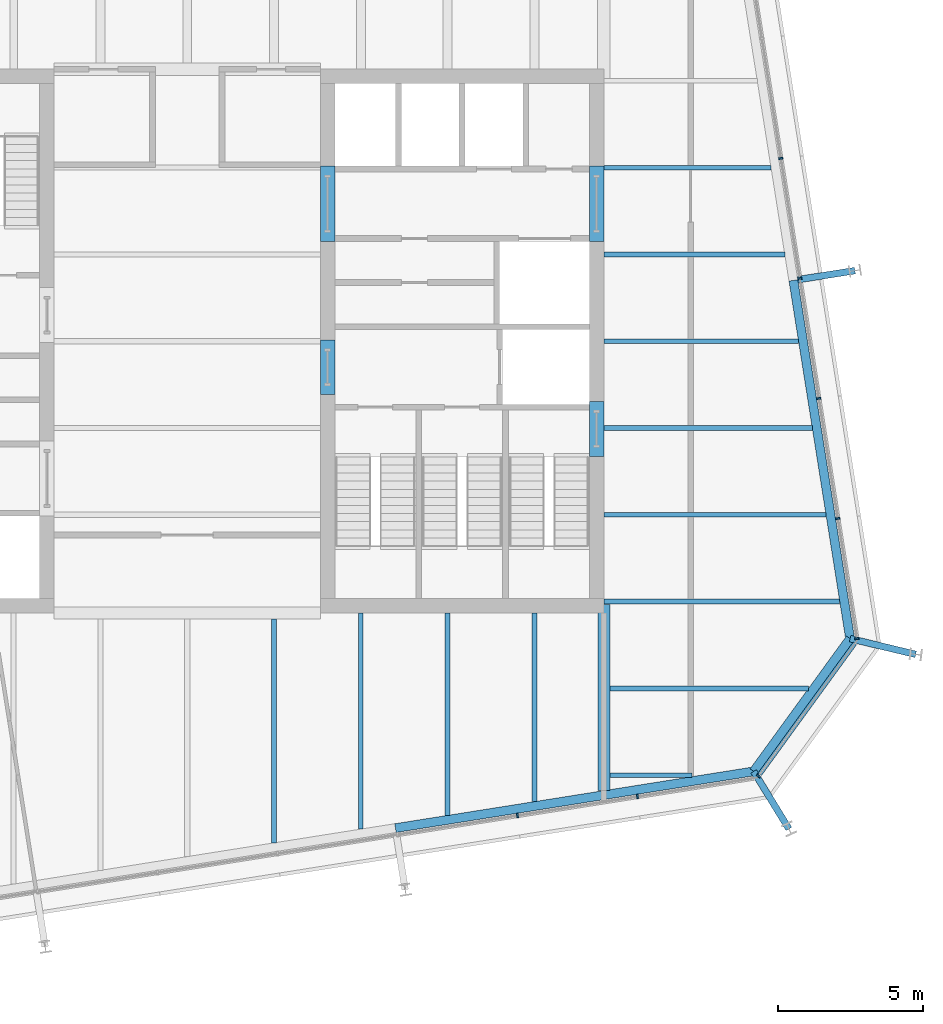
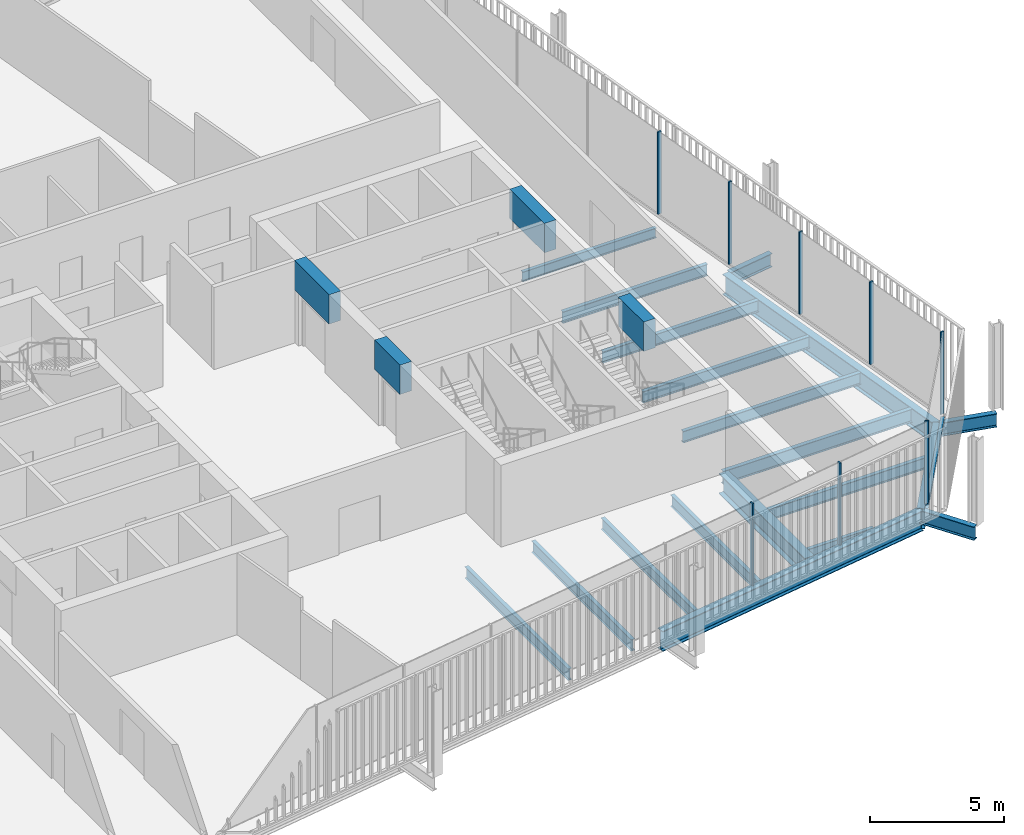
# One storey, part 8 of 20: 23 beams, 9 members, 3 elements without a shape of their own.
"""IFC4 building model written with IfcOpenShell, lengths in metres."""

from ifc_helpers import new_model, si_unit, direction, frame, origin, origin_2d, place, context, subcontext, project, spatial, rectangle, i_section, extrude, material, layer, layer_set, material_profile, profile_set, type_object, element, aggregate, save


model = new_model("IFC4")

# Units and contexts
model_context = context("Model", 3, precision=1e-05, world=origin(), true_north=direction((0.0, 1.0)))
body_context = subcontext(model_context, "Body", "Model", "MODEL_VIEW")
ifc_project = project(units=[si_unit("LENGTHUNIT", "METRE"), si_unit("AREAUNIT", "SQUARE_METRE"), si_unit("VOLUMEUNIT", "CUBIC_METRE"), si_unit("PLANEANGLEUNIT", "RADIAN"), si_unit("MASSUNIT", "GRAM", prefix="KILO")], contexts=[model_context])

# Site, building, storey
site_placement = place(None, origin())
site = spatial("IfcSite", under=ifc_project, at=site_placement, CompositionType="ELEMENT")
building_placement = place(site_placement, origin())
building = spatial("IfcBuilding", under=site, at=building_placement, Name="Millrace Tower", CompositionType="ELEMENT")
storey_placement = place(building_placement, frame((0.0, 0.0, 208.60009765625)))
storey = spatial("IfcBuildingStorey", under=building, at=storey_placement, Name="L47", CompositionType="ELEMENT", Elevation=208.60009765625)

# Curtain wall, members
ifc_material_1 = material(Name="Aluminium and glass", Category="aluminium")
ifc_layer = layer(ifc_material_1, 0.14990234375)
ifc_layer_set = layer_set([ifc_layer], Name="Aluminium and glass")
curtain_wall_type = type_object("IfcCurtainWallType", Name="CW-1 office vision curtain wall", PredefinedType="NOTDEFINED", material=ifc_layer_set)
placement = place(storey_placement, origin())
curtain_wall_1 = element("IfcCurtainWall", 1, at=placement, inside=storey, type_object=curtain_wall_type, Name="Curtain wall D-F02 L47", PredefinedType="NOTDEFINED")
ifc_material_2 = material(Name="Aluminium", Category="aluminium")
ifc_material_profile_1 = material_profile(ifc_material_2, rectangle(XDim=0.06494140625, YDim=0.14990234375, at=origin_2d()))
ifc_profile_set_1 = profile_set([ifc_material_profile_1], Name="Aluminium")
member_type_1 = type_object("IfcMemberType", Name="CW-1 office vision curtain wall mullion", PredefinedType="MULLION", material=ifc_profile_set_1)
member_1_placement = place(storey_placement, frame((11.41259765625, -16.393310546875, 0.139892578125), z_axis=(0.0, 0.0, 1.0), x_axis=(0.987688339511, 0.156434471884, 0.0)))
member_1 = element("IfcMember", 2, at=member_1_placement, type_object=member_type_1, Name="CW1 mullion D-F02.8", PredefinedType="MULLION", context=body_context, shape_type="SweptSolid", body=[
    extrude(rectangle(XDim=0.06494140625, YDim=0.14990234375, at=origin_2d()), origin(), (0.0, 0.0, 1.0), 3.760009765625),
])
member_2_placement = place(storey_placement, frame((15.560791015625, -15.736328125, 0.139892578125), z_axis=(0.0, 0.0, 1.0), x_axis=(0.987688339511, 0.156434471884, 0.0)))
member_2 = element("IfcMember", 3, at=member_2_placement, type_object=member_type_1, Name="CW1 mullion D-F02.9", PredefinedType="MULLION", context=body_context, shape_type="SweptSolid", body=[
    extrude(rectangle(XDim=0.06494140625, YDim=0.14990234375, at=origin_2d()), origin(), (0.0, 0.0, 1.0), 3.760009765625),
])
aggregate(curtain_wall_1, [member_1, member_2])

# Curtain wall, member
curtain_wall_2 = element("IfcCurtainWall", 4, at=placement, inside=storey, type_object=curtain_wall_type, Name="Curtain wall D-F03 L47", PredefinedType="NOTDEFINED")
member_3_placement = place(storey_placement, frame((19.7451171875, -15.028076171875, 0.139892578125), z_axis=(0.0, 0.0, 1.0), x_axis=(0.587785305991, 0.809016955361, 0.0)))
member_3 = element("IfcMember", 5, at=member_3_placement, type_object=member_type_1, Name="CW1 mullion D-F03.1", PredefinedType="MULLION", context=body_context, shape_type="SweptSolid", body=[
    extrude(rectangle(XDim=0.06494140625, YDim=0.14990234375, at=origin_2d()), origin(), (0.0, 0.0, 1.0), 3.760009765625),
])

# Curtain wall, members
curtain_wall_3 = element("IfcCurtainWall", 6, at=placement, inside=storey, type_object=curtain_wall_type, Name="Curtain wall D-F04 L47", PredefinedType="NOTDEFINED")
member_4_placement = place(storey_placement, frame((23.142333984375, -10.275390625, 0.139892578125), z_axis=(0.0, 0.0, 1.0), x_axis=(-0.156434471884, 0.987688339511, 0.0)))
member_4 = element("IfcMember", 7, at=member_4_placement, type_object=member_type_1, Name="CW1 mullion D-F04.1", PredefinedType="MULLION", context=body_context, shape_type="SweptSolid", body=[
    extrude(rectangle(XDim=0.06494140625, YDim=0.14990234375, at=origin_2d()), origin(), (0.0, 0.0, 1.0), 3.760009765625),
])
member_5_placement = place(storey_placement, frame((22.4853515625, -6.127197265625, 0.139892578125), z_axis=(0.0, 0.0, 1.0), x_axis=(-0.156434471884, 0.987688339511, 0.0)))
member_5 = element("IfcMember", 8, at=member_5_placement, type_object=member_type_1, Name="CW1 mullion D-F04.2", PredefinedType="MULLION", context=body_context, shape_type="SweptSolid", body=[
    extrude(rectangle(XDim=0.06494140625, YDim=0.14990234375, at=origin_2d()), origin(), (0.0, 0.0, 1.0), 3.760009765625),
])
member_6_placement = place(storey_placement, frame((21.828369140625, -1.97900390625, 0.139892578125), z_axis=(0.0, 0.0, 1.0), x_axis=(-0.156434471884, 0.987688339511, 0.0)))
member_6 = element("IfcMember", 9, at=member_6_placement, type_object=member_type_1, Name="CW1 mullion D-F04.3", PredefinedType="MULLION", context=body_context, shape_type="SweptSolid", body=[
    extrude(rectangle(XDim=0.06494140625, YDim=0.14990234375, at=origin_2d()), origin(), (0.0, 0.0, 1.0), 3.760009765625),
])
member_7_placement = place(storey_placement, frame((21.17138671875, 2.16943359375, 0.139892578125), z_axis=(0.0, 0.0, 1.0), x_axis=(-0.156434471884, 0.987688339511, 0.0)))
member_7 = element("IfcMember", 10, at=member_7_placement, type_object=member_type_1, Name="CW1 mullion D-F04.4", PredefinedType="MULLION", context=body_context, shape_type="SweptSolid", body=[
    extrude(rectangle(XDim=0.06494140625, YDim=0.14990234375, at=origin_2d()), origin(), (0.0, 0.0, 1.0), 3.760009765625),
])
member_8_placement = place(storey_placement, frame((20.514404296875, 6.317626953125, 0.139892578125), z_axis=(0.0, 0.0, 1.0), x_axis=(-0.156434471884, 0.987688339511, 0.0)))
member_8 = element("IfcMember", 11, at=member_8_placement, type_object=member_type_1, Name="CW1 mullion D-F04.5", PredefinedType="MULLION", context=body_context, shape_type="SweptSolid", body=[
    extrude(rectangle(XDim=0.06494140625, YDim=0.14990234375, at=origin_2d()), origin(), (0.0, 0.0, 1.0), 3.760009765625),
])
aggregate(curtain_wall_3, [member_4, member_5, member_6, member_7, member_8])

# Member
ifc_material_3 = material(Name="Aluminium", Category="aluminium")
ifc_material_profile_2 = material_profile(ifc_material_3, rectangle(XDim=0.14990234375, YDim=0.139892578125, at=origin_2d()))
ifc_profile_set_2 = profile_set([ifc_material_profile_2], Name="Aluminium")
member_type_2 = type_object("IfcMemberType", Name="CW-1 office vision curtain wall transom", PredefinedType="USERDEFINED", material=ifc_profile_set_2)
member_9_placement = place(storey_placement, frame((19.78466796875, -14.973388671875, 0.06982421875), z_axis=(0.587811213399, 0.808998131891, 0.0), x_axis=(-0.808998131891, 0.587811213399, 0.0)))
member_9 = element("IfcMember", 12, at=member_9_placement, type_object=member_type_2, Name="CW1 transom D-F03.1", ObjectType="TRANSOM", PredefinedType="USERDEFINED", context=body_context, shape_type="SweptSolid", body=[
    extrude(rectangle(XDim=0.14990234375, YDim=0.139892578125, at=origin_2d()), origin(), (0.0, 0.0, 1.0), 5.598388671875),
])

aggregate(curtain_wall_2, [member_3, member_9])

# Beams
ifc_material_4 = material(Name="Concrete C60", Category="concrete")
ifc_material_profile_3 = material_profile(ifc_material_4, rectangle(XDim=0.5, YDim=1.340087890625, at=origin_2d()))
ifc_profile_set_3 = profile_set([ifc_material_profile_3], Name="Concrete C60")
beam_type_1 = type_object("IfcBeamType", Name="Coupling beam 500 x 1340 Concrete C60, 1300 opening", PredefinedType="BEAM", material=ifc_profile_set_3)
beam_1_placement = place(storey_placement, frame((14.14990234375, -2.080078125, 3.06982421875), z_axis=(0.0, -1.0, 0.0), x_axis=(1.0, 0.0, 0.0)))
element("IfcBeam", 13, at=beam_1_placement, inside=storey, type_object=beam_type_1, Name="Coupling beam E L47", PredefinedType="BEAM", context=body_context, shape_type="SweptSolid", body=[
    extrude(rectangle(XDim=0.5, YDim=1.340087890625, at=origin_2d()), origin(), (0.0, 0.0, 1.0), 1.89990234375),
])
beam_2_placement = place(storey_placement, frame((4.85009765625, 0.050048828125, 3.06982421875), z_axis=(0.0, -1.0, 0.0), x_axis=(1.0, 0.0, 0.0)))
element("IfcBeam", 14, at=beam_2_placement, inside=storey, type_object=beam_type_1, Name="Coupling beam E L47", PredefinedType="BEAM", context=body_context, shape_type="SweptSolid", body=[
    extrude(rectangle(XDim=0.5, YDim=1.340087890625, at=origin_2d()), origin(), (0.0, 0.0, 1.0), 1.900146484375),
])
ifc_material_5 = material(Name="Concrete C60", Category="concrete")
ifc_material_profile_4 = material_profile(ifc_material_5, rectangle(XDim=0.5, YDim=1.340087890625, at=origin_2d()))
ifc_profile_set_4 = profile_set([ifc_material_profile_4], Name="Concrete C60")
beam_type_2 = type_object("IfcBeamType", Name="Coupling beam 500 x 1340 Concrete C60, 2000 opening", PredefinedType="BEAM", material=ifc_profile_set_4)
for number, where, z_axis, x_axis, name in (
    (15, (14.14990234375, 6.050048828125, 3.06982421875), (0.0, -1.0, 0.0), (1.0, 0.0, 0.0), "Coupling beam E L47"),
    (16, (4.85009765625, 6.050048828125, 3.06982421875), (0.0, -1.0, 0.0), (1.0, 0.0, 0.0), "Coupling beam E L47"),
):
    element("IfcBeam", number, at=place(storey_placement, frame(where, z_axis=z_axis, x_axis=x_axis)), inside=storey, type_object=beam_type_2, Name=name, PredefinedType="BEAM", context=body_context, shape_type="SweptSolid", body=[
        extrude(rectangle(XDim=0.5, YDim=1.340087890625, at=origin_2d()), origin(), (0.0, 0.0, 1.0), 2.60009765625),
    ])
ifc_material_6 = material(Name="Steel ASTM A992 Grade 50", Category="steel")
ifc_material_profile_5 = material_profile(ifc_material_6, i_section(OverallWidth=0.15234375, OverallDepth=0.449462890625, WebThickness=0.007568359375, FlangeThickness=0.0107421875, FilletRadius=0.01025390625, at=origin_2d()))
ifc_profile_set_5 = profile_set([ifc_material_profile_5], Name="Steel ASTM A992 Grade 50")
beam_type_3 = type_object("IfcBeamType", Name="Floor beam W18x35", PredefinedType="JOIST", material=ifc_profile_set_5)
beam_3_placement = place(storey_placement, frame((14.39990234375, 6.0, -0.384765625), z_axis=(1.0, 0.0, 0.0), x_axis=(0.0, 1.0, 0.0)))
element("IfcBeam", 17, at=beam_3_placement, inside=storey, type_object=beam_type_3, Name="BM-D-L47-S1-S022", PredefinedType="JOIST", context=body_context, shape_type="SweptSolid", body=[
    extrude(i_section(OverallWidth=0.15234375, OverallDepth=0.449462890625, WebThickness=0.007568359375, FlangeThickness=0.0107421875, FilletRadius=0.01025390625, at=origin_2d()), origin(), (0.0, 0.0, 1.0), 5.777587890625),
])
beam_4_placement = place(storey_placement, frame((14.609619140625, -15.0, -0.384765625), z_axis=(1.0, 0.0, 0.0), x_axis=(0.0, 1.0, 0.0)))
element("IfcBeam", 18, at=beam_4_placement, inside=storey, type_object=beam_type_3, Name="BM-D-L47-S1-S003", PredefinedType="JOIST", context=body_context, shape_type="SweptSolid", body=[
    extrude(i_section(OverallWidth=0.15234375, OverallDepth=0.449462890625, WebThickness=0.007568359375, FlangeThickness=0.0107421875, FilletRadius=0.01025390625, at=origin_2d()), origin(), (0.0, 0.0, 1.0), 2.839599609375),
])
ifc_material_7 = material(Name="Steel ASTM A992 Grade 50", Category="steel")
ifc_material_profile_6 = material_profile(ifc_material_7, i_section(OverallWidth=0.1650390625, OverallDepth=0.52587890625, WebThickness=0.0087890625, FlangeThickness=0.011474609375, FilletRadius=0.0126953125, at=origin_2d()))
ifc_profile_set_6 = profile_set([ifc_material_profile_6], Name="Steel ASTM A992 Grade 50")
beam_type_4 = type_object("IfcBeamType", Name="Floor beam W21x44", PredefinedType="JOIST", material=ifc_profile_set_6)
beam_5_placement = place(storey_placement, frame((14.609619140625, -12.0, -0.423095703125), z_axis=(1.0, 0.0, 0.0), x_axis=(0.0, 1.0, 0.0)))
element("IfcBeam", 19, at=beam_5_placement, inside=storey, type_object=beam_type_4, Name="BM-D-L47-S1-S005", PredefinedType="JOIST", context=body_context, shape_type="SweptSolid", body=[
    extrude(i_section(OverallWidth=0.1650390625, OverallDepth=0.52587890625, WebThickness=0.0087890625, FlangeThickness=0.011474609375, FilletRadius=0.0126953125, at=origin_2d()), origin(), (0.0, 0.0, 1.0), 6.86279296875),
])
beam_6_placement = place(storey_placement, frame((14.39990234375, -6.0, -0.423095703125), z_axis=(1.0, 0.0, 0.0), x_axis=(0.0, 1.0, 0.0)))
element("IfcBeam", 20, at=beam_6_placement, inside=storey, type_object=beam_type_4, Name="BM-D-L47-S1-S010", PredefinedType="JOIST", context=body_context, shape_type="SweptSolid", body=[
    extrude(i_section(OverallWidth=0.1650390625, OverallDepth=0.52587890625, WebThickness=0.0087890625, FlangeThickness=0.011474609375, FilletRadius=0.0126953125, at=origin_2d()), origin(), (0.0, 0.0, 1.0), 7.67822265625),
])
beam_7_placement = place(storey_placement, frame((14.39990234375, -3.0, -0.423095703125), z_axis=(1.0, 0.0, 0.0), x_axis=(0.0, 1.0, 0.0)))
element("IfcBeam", 21, at=beam_7_placement, inside=storey, type_object=beam_type_4, Name="BM-D-L47-S1-S013", PredefinedType="JOIST", context=body_context, shape_type="SweptSolid", body=[
    extrude(i_section(OverallWidth=0.1650390625, OverallDepth=0.52587890625, WebThickness=0.0087890625, FlangeThickness=0.011474609375, FilletRadius=0.0126953125, at=origin_2d()), origin(), (0.0, 0.0, 1.0), 7.203125),
])
beam_8_placement = place(storey_placement, frame((14.39990234375, 0.0, -0.423095703125), z_axis=(1.0, 0.0, 0.0), x_axis=(0.0, 1.0, 0.0)))
element("IfcBeam", 22, at=beam_8_placement, inside=storey, type_object=beam_type_4, Name="BM-D-L47-S1-S016", PredefinedType="JOIST", context=body_context, shape_type="SweptSolid", body=[
    extrude(i_section(OverallWidth=0.1650390625, OverallDepth=0.52587890625, WebThickness=0.0087890625, FlangeThickness=0.011474609375, FilletRadius=0.0126953125, at=origin_2d()), origin(), (0.0, 0.0, 1.0), 6.72802734375),
])
beam_9_placement = place(storey_placement, frame((14.39990234375, 3.0, -0.423095703125), z_axis=(1.0, 0.0, 0.0), x_axis=(0.0, 1.0, 0.0)))
element("IfcBeam", 23, at=beam_9_placement, inside=storey, type_object=beam_type_4, Name="BM-D-L47-S1-S019", PredefinedType="JOIST", context=body_context, shape_type="SweptSolid", body=[
    extrude(i_section(OverallWidth=0.1650390625, OverallDepth=0.52587890625, WebThickness=0.0087890625, FlangeThickness=0.011474609375, FilletRadius=0.0126953125, at=origin_2d()), origin(), (0.0, 0.0, 1.0), 6.252685546875),
])
beam_10_placement = place(storey_placement, frame((3.0, -17.338623046875, -0.423095703125), z_axis=(0.0, 1.0, 0.0), x_axis=(-1.0, 0.0, 0.0)))
element("IfcBeam", 24, at=beam_10_placement, inside=storey, type_object=beam_type_4, Name="BM-D-L47-S1-S047", PredefinedType="JOIST", context=body_context, shape_type="SweptSolid", body=[
    extrude(i_section(OverallWidth=0.1650390625, OverallDepth=0.52587890625, WebThickness=0.0087890625, FlangeThickness=0.011474609375, FilletRadius=0.0126953125, at=origin_2d()), origin(), (0.0, 0.0, 1.0), 7.72900390625),
])
beam_11_placement = place(storey_placement, frame((6.0, -16.863525390625, -0.423095703125), z_axis=(0.0, 1.0, 0.0), x_axis=(-1.0, 0.0, 0.0)))
element("IfcBeam", 25, at=beam_11_placement, inside=storey, type_object=beam_type_4, Name="BM-D-L47-S1-S049", PredefinedType="JOIST", context=body_context, shape_type="SweptSolid", body=[
    extrude(i_section(OverallWidth=0.1650390625, OverallDepth=0.52587890625, WebThickness=0.0087890625, FlangeThickness=0.011474609375, FilletRadius=0.0126953125, at=origin_2d()), origin(), (0.0, 0.0, 1.0), 7.463623046875),
])
beam_12_placement = place(storey_placement, frame((9.0, -16.38818359375, -0.423095703125), z_axis=(0.0, 1.0, 0.0), x_axis=(-1.0, 0.0, 0.0)))
element("IfcBeam", 26, at=beam_12_placement, inside=storey, type_object=beam_type_4, Name="BM-D-L47-S1-S051", PredefinedType="JOIST", context=body_context, shape_type="SweptSolid", body=[
    extrude(i_section(OverallWidth=0.1650390625, OverallDepth=0.52587890625, WebThickness=0.0087890625, FlangeThickness=0.011474609375, FilletRadius=0.0126953125, at=origin_2d()), origin(), (0.0, 0.0, 1.0), 6.98828125),
])
beam_13_placement = place(storey_placement, frame((12.0, -15.9130859375, -0.423095703125), z_axis=(0.0, 1.0, 0.0), x_axis=(-1.0, 0.0, 0.0)))
element("IfcBeam", 27, at=beam_13_placement, inside=storey, type_object=beam_type_4, Name="BM-D-L47-S1-S053", PredefinedType="JOIST", context=body_context, shape_type="SweptSolid", body=[
    extrude(i_section(OverallWidth=0.1650390625, OverallDepth=0.52587890625, WebThickness=0.0087890625, FlangeThickness=0.011474609375, FilletRadius=0.0126953125, at=origin_2d()), origin(), (0.0, 0.0, 1.0), 6.51318359375),
])
ifc_material_8 = material(Name="Steel ASTM A992 Grade 50", Category="steel")
ifc_material_profile_7 = material_profile(ifc_material_8, i_section(OverallWidth=0.177978515625, OverallDepth=0.599365234375, WebThickness=0.010009765625, FlangeThickness=0.012939453125, FilletRadius=0.012939453125, at=origin_2d()))
ifc_profile_set_7 = profile_set([ifc_material_profile_7], Name="Steel ASTM A992 Grade 50")
beam_type_5 = type_object("IfcBeamType", Name="Floor beam W24x55", PredefinedType="JOIST", material=ifc_profile_set_7)
beam_14_placement = place(storey_placement, frame((14.39990234375, -9.0, -0.459716796875), z_axis=(1.0, 0.0, 0.0), x_axis=(0.0, 1.0, 0.0)))
element("IfcBeam", 28, at=beam_14_placement, inside=storey, type_object=beam_type_5, Name="BM-D-L47-S1-S007", PredefinedType="JOIST", context=body_context, shape_type="SweptSolid", body=[
    extrude(i_section(OverallWidth=0.177978515625, OverallDepth=0.599365234375, WebThickness=0.010009765625, FlangeThickness=0.012939453125, FilletRadius=0.012939453125, at=origin_2d()), origin(), (0.0, 0.0, 1.0), 8.1533203125),
])
ifc_material_9 = material(Name="Steel ASTM A992 Grade 50", Category="steel")
ifc_material_profile_8 = material_profile(ifc_material_9, i_section(OverallWidth=0.419189453125, OverallDepth=0.927001953125, WebThickness=0.019287109375, FlangeThickness=0.031982421875, FilletRadius=0.024169921875, at=origin_2d()))
ifc_profile_set_8 = profile_set([ifc_material_profile_8], Name="Steel ASTM A992 Grade 50")
beam_type_6 = type_object("IfcBeamType", Name="Girder short span W36x231", PredefinedType="BEAM", material=ifc_profile_set_8)
beam_15_placement = place(storey_placement, frame((14.39990234375, -15.52490234375, -0.62353515625), z_axis=(0.0, 1.0, 0.0), x_axis=(-1.0, 0.0, 0.0)))
element("IfcBeam", 29, at=beam_15_placement, inside=storey, type_object=beam_type_6, Name="BM-D-L47-S1-G057", PredefinedType="BEAM", context=body_context, shape_type="SweptSolid", body=[
    extrude(i_section(OverallWidth=0.419189453125, OverallDepth=0.927001953125, WebThickness=0.019287109375, FlangeThickness=0.031982421875, FilletRadius=0.024169921875, at=origin_2d()), origin(), (0.0, 0.0, 1.0), 6.432861328125),
])
ifc_material_10 = material(Name="Steel ASTM A992 Grade 50", Category="steel")
ifc_material_profile_9 = material_profile(ifc_material_10, i_section(OverallWidth=0.23046875, OverallDepth=0.6171875, WebThickness=0.01318359375, FlangeThickness=0.022216796875, FilletRadius=0.012939453125, at=origin_2d()))
ifc_profile_set_9 = profile_set([ifc_material_profile_9], Name="Steel ASTM A992 Grade 50")
beam_type_7 = type_object("IfcBeamType", Name="Link beam W24x94", PredefinedType="BEAM", material=ifc_profile_set_9)
beam_16_placement = place(storey_placement, frame((21.102294921875, 2.12548828125, -0.46875), z_axis=(0.987678691416, 0.156495375404, 0.0), x_axis=(-0.156495375404, 0.987678691416, 0.0)))
element("IfcBeam", 30, at=beam_16_placement, inside=storey, type_object=beam_type_7, Name="LNK-D-L47-S1-11", PredefinedType="BEAM", context=body_context, shape_type="SweptSolid", body=[
    extrude(i_section(OverallWidth=0.23046875, OverallDepth=0.6171875, WebThickness=0.01318359375, FlangeThickness=0.022216796875, FilletRadius=0.012939453125, at=origin_2d()), origin(), (0.0, 0.0, 1.0), 2.0),
])
beam_17_placement = place(storey_placement, frame((22.91162109375, -10.280517578125, -0.46875), z_axis=(0.972373041068, -0.233432364948, 0.0), x_axis=(0.233432364948, 0.972373041068, 0.0)))
element("IfcBeam", 31, at=beam_17_placement, inside=storey, type_object=beam_type_7, Name="LNK-D-L47-S1-12", PredefinedType="BEAM", context=body_context, shape_type="SweptSolid", body=[
    extrude(i_section(OverallWidth=0.23046875, OverallDepth=0.6171875, WebThickness=0.01318359375, FlangeThickness=0.022216796875, FilletRadius=0.012939453125, at=origin_2d()), origin(), (0.0, 0.0, 1.0), 2.331298828125),
])
beam_18_placement = place(storey_placement, frame((19.578369140625, -14.868408203125, -0.46875), z_axis=(0.522512938711, -0.852631355792, 0.0), x_axis=(0.852631355792, 0.522512938711, 0.0)))
element("IfcBeam", 32, at=beam_18_placement, inside=storey, type_object=beam_type_7, Name="LNK-D-L47-S1-13", PredefinedType="BEAM", context=body_context, shape_type="SweptSolid", body=[
    extrude(i_section(OverallWidth=0.23046875, OverallDepth=0.6171875, WebThickness=0.01318359375, FlangeThickness=0.022216796875, FilletRadius=0.012939453125, at=origin_2d()), origin(), (0.0, 0.0, 1.0), 2.3310546875),
])
ifc_material_11 = material(Name="Steel ASTM A992 Grade 50", Category="steel")
ifc_material_profile_10 = material_profile(ifc_material_11, i_section(OverallWidth=0.307373046875, OverallDepth=0.927001953125, WebThickness=0.01953125, FlangeThickness=0.031982421875, FilletRadius=0.01904296875, at=origin_2d()))
ifc_profile_set_10 = profile_set([ifc_material_profile_10], Name="Steel ASTM A992 Grade 50")
beam_type_8 = type_object("IfcBeamType", Name="Ring beam medium span W36x194", PredefinedType="SPANDREL", material=ifc_profile_set_10)
for number, where, z_axis, x_axis, name in (
    (33, (20.95068359375, 2.1015625, -0.62353515625), (0.156419577072, -0.987690698503, 0.0), (0.987690698503, 0.156419577072, 0.0), "RNG-D-L47-S1-11"),
    (34, (19.578369140625, -14.868408203125, -0.62353515625), (-0.987687689625, -0.156438575049, 0.0), (0.156438575049, -0.987687689625, 0.0), "RNG-D-L47-S1-13"),
):
    element("IfcBeam", number, at=place(storey_placement, frame(where, z_axis=z_axis, x_axis=x_axis)), inside=storey, type_object=beam_type_8, Name=name, PredefinedType="SPANDREL", context=body_context, shape_type="SweptSolid", body=[
        extrude(i_section(OverallWidth=0.307373046875, OverallDepth=0.927001953125, WebThickness=0.01953125, FlangeThickness=0.031982421875, FilletRadius=0.01904296875, at=origin_2d()), origin(), (0.0, 0.0, 1.0), 12.536376953125),
    ])
ifc_material_12 = material(Name="Steel ASTM A992 Grade 50", Category="steel")
ifc_material_profile_11 = material_profile(ifc_material_12, i_section(OverallWidth=0.307373046875, OverallDepth=0.927001953125, WebThickness=0.01953125, FlangeThickness=0.031982421875, FilletRadius=0.01904296875, at=origin_2d()))
ifc_profile_set_11 = profile_set([ifc_material_profile_11], Name="Steel ASTM A992 Grade 50")
beam_type_9 = type_object("IfcBeamType", Name="Ring beam short span W36x194", PredefinedType="SPANDREL", material=ifc_profile_set_11)
beam_19_placement = place(storey_placement, frame((22.91162109375, -10.280517578125, -0.62353515625), z_axis=(-0.587779977844, -0.80902082646, 0.0), x_axis=(0.80902082646, -0.587779977844, 0.0)))
element("IfcBeam", 35, at=beam_19_placement, inside=storey, type_object=beam_type_9, Name="RNG-D-L47-S1-12", PredefinedType="SPANDREL", context=body_context, shape_type="SweptSolid", body=[
    extrude(i_section(OverallWidth=0.307373046875, OverallDepth=0.927001953125, WebThickness=0.01953125, FlangeThickness=0.031982421875, FilletRadius=0.01904296875, at=origin_2d()), origin(), (0.0, 0.0, 1.0), 5.6708984375),
])

save(model, "model.ifc")
